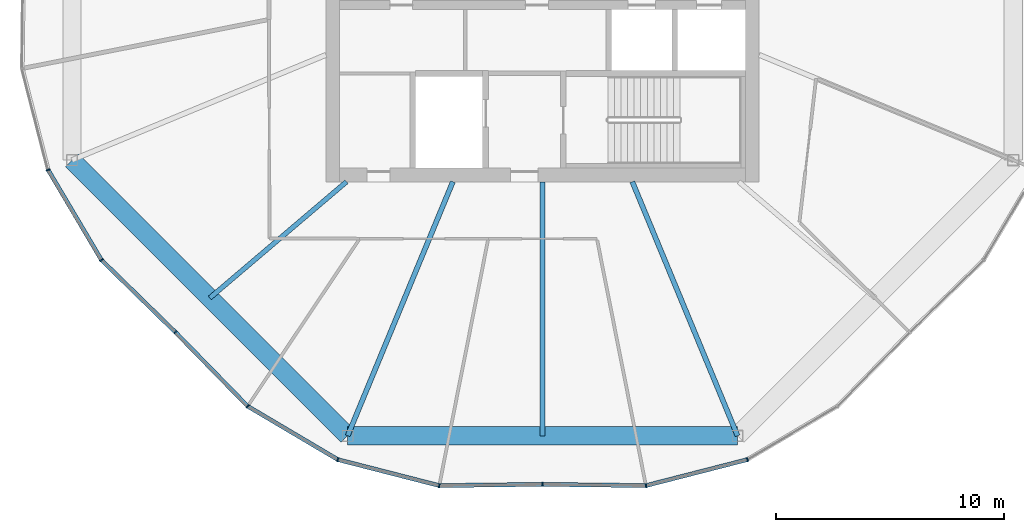
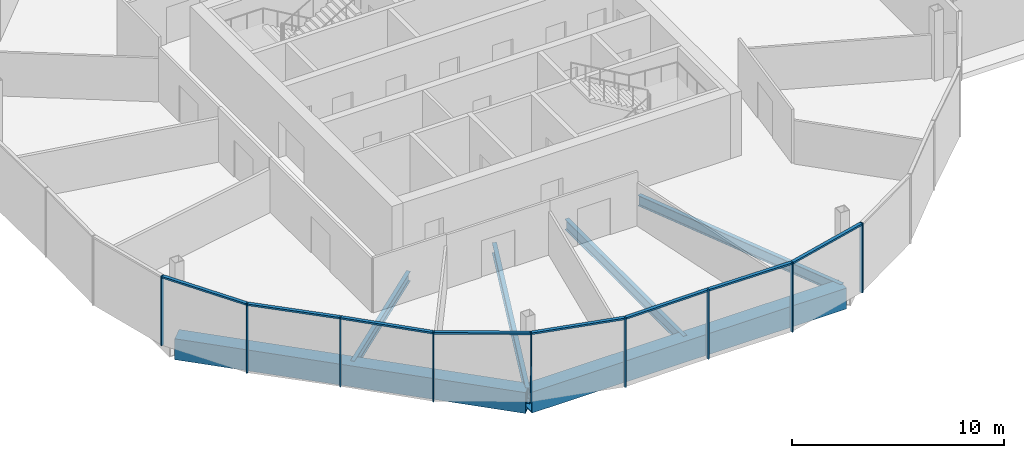
# One storey, part 3 of 25: 17 members, 6 beams, 3 elements without a shape of their own.
"""IFC4 building model written with IfcOpenShell, lengths in metres."""

import ifcopenshell
import ifcopenshell.guid

model = None  # the IFC model being written
_history = None  # IfcOwnerHistory: only IFC2X3 demands one
_inside = {}  # id of a spatial element -> (the spatial element, [elements in it])
_under = {}  # id of a project, library or spatial element -> (it, [spatial elements below it])
_declared = {}  # id of a project -> (the project, [libraries it declares])
_typed = {}  # id of a type object -> (the type object, [elements of that type])
_made_of = {}  # id of a material, layer set ... -> (it, [elements and type objects made of it])


def new_model(schema):
    """Start an empty IFC model of exactly this schema.

    Asked for "IFC4X3", IfcOpenShell would pick the latest addendum, in which some entities
    have other attributes; the version numbers below select the first issue.
    IFC2X3 requires an IfcOwnerHistory on every rooted entity: one is made here for all.
    """
    global model, _history
    if schema == "IFC4X3":
        model = ifcopenshell.file(schema_version=(4, 3, 0, 0))
    else:
        model = ifcopenshell.file(schema=schema)
    _inside.clear()
    _under.clear()
    _declared.clear()
    _typed.clear()
    _made_of.clear()
    _history = None
    if model.schema == "IFC2X3":
        org = make("IfcOrganization", Name="unknown")
        user = make(
            "IfcPersonAndOrganization",
            ThePerson=make("IfcPerson", FamilyName="unknown"),
            TheOrganization=org,
        )
        app = make(
            "IfcApplication",
            ApplicationDeveloper=org,
            Version="unknown",
            ApplicationFullName="unknown",
            ApplicationIdentifier="unknown",
        )
        _history = make(
            "IfcOwnerHistory",
            OwningUser=user,
            OwningApplication=app,
            ChangeAction="ADDED",
            CreationDate=0,
        )
    return model


def make(cls, **values):
    """One entity of the class cls with the attributes given. An attribute that is None is left unset."""
    return model.create_entity(
        cls, **{name: value for name, value in values.items() if value is not None}
    )


def rooted(cls, **values):
    """An entity with a GlobalId (a new one), such as an element, a storey or a relation."""
    return make(cls, GlobalId=ifcopenshell.guid.new(), OwnerHistory=_history, **values)


def si_unit(unit_type, name, prefix=None):
    """IfcSIUnit, for example si_unit("LENGTHUNIT", "METRE", prefix="MILLI")."""
    return make("IfcSIUnit", UnitType=unit_type, Prefix=prefix, Name=name)


def assignment(units):
    """IfcUnitAssignment: the units of a project."""
    return None if units is None else make("IfcUnitAssignment", Units=units)


def point(xyz):
    """IfcCartesianPoint."""
    return None if xyz is None else make("IfcCartesianPoint", Coordinates=xyz)


def direction(xyz):
    """IfcDirection."""
    return None if xyz is None else make("IfcDirection", DirectionRatios=xyz)


def frame(location, z_axis=None, x_axis=None):
    """IfcAxis2Placement3D, a coordinate frame: its origin and axes. An axis left out is left unset."""
    return make(
        "IfcAxis2Placement3D",
        Location=point(location),
        Axis=direction(z_axis),
        RefDirection=direction(x_axis),
    )


def frame_2d(location, x_axis=None):
    """IfcAxis2Placement2D, a coordinate frame in the plane: its origin and x axis."""
    return make(
        "IfcAxis2Placement2D", Location=point(location), RefDirection=direction(x_axis)
    )


def origin():
    """The frame at (0, 0, 0) with its axes left unset."""
    return frame((0.0, 0.0, 0.0))


def origin_2d():
    """The frame at (0, 0) in the plane with its x axis left unset."""
    return frame_2d((0.0, 0.0))


def place(relative_to, where):
    """IfcLocalPlacement: puts the frame where relative to a parent placement (None: the world)."""
    return make(
        "IfcLocalPlacement", PlacementRelTo=relative_to, RelativePlacement=where
    )


def context(
    kind, dimensions, precision=None, world=None, true_north=None, identifier=None
):
    """IfcGeometricRepresentationContext, for example the 3D "Model" context."""
    return make(
        "IfcGeometricRepresentationContext",
        ContextIdentifier=identifier,
        ContextType=kind,
        CoordinateSpaceDimension=dimensions,
        Precision=precision,
        WorldCoordinateSystem=world,
        TrueNorth=true_north,
    )


def subcontext(parent, identifier, kind, view, scale=None):
    """IfcGeometricRepresentationSubContext, for example "Body" below "Model"."""
    return make(
        "IfcGeometricRepresentationSubContext",
        ContextIdentifier=identifier,
        ContextType=kind,
        ParentContext=parent,
        TargetScale=scale,
        TargetView=view,
    )


def project(units=None, contexts=None):
    """IfcProject with its units and contexts."""
    return rooted(
        "IfcProject",
        Name="project",
        RepresentationContexts=contexts,
        UnitsInContext=assignment(units),
    )


def spatial(cls, under=None, at=None, **own):
    """A site, building, storey or space (cls), placed at a placement, below another one or the project."""
    s = rooted(cls, ObjectPlacement=at, **own)
    if under is not None:
        _under.setdefault(under.id(), (under, []))[1].append(s)
    return s


def profile(cls, at=None, kind="AREA", **sizes):
    """A parametric profile (cls). Its sizes go by their IFC names, for example OverallWidth=200.0."""
    return make(cls, ProfileType=kind, Position=at, **sizes)


def rectangle(**sizes):
    """IfcRectangleProfileDef."""
    return profile("IfcRectangleProfileDef", **sizes)


def hollow_rectangle(**sizes):
    """IfcRectangleHollowProfileDef."""
    return profile("IfcRectangleHollowProfileDef", **sizes)


def i_section(**sizes):
    """IfcIShapeProfileDef."""
    return profile("IfcIShapeProfileDef", **sizes)


def extrude(swept, where, along, depth):
    """IfcExtrudedAreaSolid: the profile swept, set in the frame where, extruded along a direction by depth."""
    return make(
        "IfcExtrudedAreaSolid",
        SweptArea=swept,
        Position=where,
        ExtrudedDirection=direction(along),
        Depth=depth,
    )


def shape(context_of_items, identifier, shape_type, items):
    """IfcShapeRepresentation: the items that make up one representation, for example the "Body"."""
    return make(
        "IfcShapeRepresentation",
        ContextOfItems=context_of_items,
        RepresentationIdentifier=identifier,
        RepresentationType=shape_type,
        Items=items,
    )


def material(Name=None, Category=None):
    """IfcMaterial."""
    return make("IfcMaterial", Name=Name, Category=Category)


def material_profile(
    of_material, cross_section, Name=None, Category=None, Priority=None
):
    """IfcMaterialProfile: a cross section and its material."""
    return make(
        "IfcMaterialProfile",
        Name=Name,
        Material=of_material,
        Profile=cross_section,
        Priority=Priority,
        Category=Category,
    )


def profile_set(profiles, Name=None, composite=None):
    """IfcMaterialProfileSet."""
    return make(
        "IfcMaterialProfileSet",
        Name=Name,
        MaterialProfiles=profiles,
        CompositeProfile=composite,
    )


def made_of(thing, what):
    """Note that an element or type object is made of a material, layer set ...; save() writes the relation."""
    if what is not None:
        _made_of.setdefault(what.id(), (what, []))[1].append(thing)
    return thing


def type_object(cls, material=None, **own):
    """A type object (cls), such as IfcWallType, which elements share."""
    return made_of(rooted(cls, **own), material)


def element(
    cls,
    number,
    at=None,
    inside=None,
    cuts=None,
    type_object=None,
    material=None,
    context=None,
    identifier="Body",
    shape_type=None,
    held_by="IfcProductDefinitionShape",
    body=None,
    shapes=None,
    **own,
):
    """One element of the class cls, such as IfcWall. Its Tag is "e" and its number.

    at: its placement. inside: the storey or other place that contains it. cuts: it is an
    opening in that element (IfcRelVoidsElement). A single representation is given by context,
    identifier, shape_type and body (its items); several are given by shapes. held_by: the class
    of the entity that holds the representations. save() writes the other relations.
    """
    e = rooted(cls, Tag="e%d" % number, ObjectPlacement=at, **own)
    if body is not None:
        shapes = [shape(context, identifier, shape_type, body)]
    if shapes is not None:
        e.Representation = make(held_by, Representations=shapes)
    if inside is not None:
        _inside.setdefault(inside.id(), (inside, []))[1].append(e)
    if cuts is not None:
        rooted(
            "IfcRelVoidsElement", RelatingBuildingElement=cuts, RelatedOpeningElement=e
        )
    if type_object is not None:
        _typed.setdefault(type_object.id(), (type_object, []))[1].append(e)
    return made_of(e, material)


def aggregate(whole, parts):
    """IfcRelAggregates: a whole, such as a stair, and the parts it consists of."""
    return rooted("IfcRelAggregates", RelatingObject=whole, RelatedObjects=parts)


def save(model, path):
    """Write the relations noted so far, then the file.

    IfcRelAggregates (storeys below a building ...), IfcRelContainedInSpatialStructure (elements
    in a storey), IfcRelDefinesByType, IfcRelAssociatesMaterial and IfcRelDeclares: one each for
    every whole, place, type object, material and project.
    """
    for whole, parts in _under.values():
        aggregate(whole, parts)
    for where, things in _inside.values():
        rooted(
            "IfcRelContainedInSpatialStructure",
            RelatedElements=things,
            RelatingStructure=where,
        )
    for kind, things in _typed.values():
        rooted("IfcRelDefinesByType", RelatedObjects=things, RelatingType=kind)
    for what, things in _made_of.values():
        rooted("IfcRelAssociatesMaterial", RelatedObjects=things, RelatingMaterial=what)
    for by, libraries in _declared.values():
        rooted("IfcRelDeclares", RelatingContext=by, RelatedDefinitions=libraries)
    model.write(path)


model = new_model("IFC4")

# Units and contexts
model_context = context("Model", 3, precision=1e-05, world=origin(), true_north=direction((0.0, 1.0)))
body_context = subcontext(model_context, "Body", "Model", "MODEL_VIEW")
ifc_project = project(units=[si_unit("LENGTHUNIT", "METRE"), si_unit("AREAUNIT", "SQUARE_METRE"), si_unit("VOLUMEUNIT", "CUBIC_METRE"), si_unit("PLANEANGLEUNIT", "RADIAN"), si_unit("MASSUNIT", "GRAM", prefix="KILO")], contexts=[model_context])

# Site, building, storey
site_placement = place(None, origin())
site = spatial("IfcSite", under=ifc_project, at=site_placement, CompositionType="ELEMENT")
building_placement = place(site_placement, origin())
building = spatial("IfcBuilding", under=site, at=building_placement, Name="Ogive Gate Towers", CompositionType="ELEMENT")
storey_placement = place(building_placement, frame((0.0, 0.0, 140.800048828125)))
storey = spatial("IfcBuildingStorey", under=building, at=storey_placement, Name="L33", CompositionType="ELEMENT", Elevation=140.800048828125)

# Beams
ifc_material_1 = material(Name="Steel SM460", Category="steel")
ifc_material_profile_1 = material_profile(ifc_material_1, hollow_rectangle(XDim=0.800048828125, YDim=1.199951171875, WallThickness=0.050048828125, at=origin_2d()), Name="BX 1200x800x50")
ifc_profile_set_1 = profile_set([ifc_material_profile_1], Name="Steel SM460")
beam_type_1 = type_object("IfcBeamType", Name="Edge girder BX 1200x800x50", PredefinedType="BEAM", material=ifc_profile_set_1)
beam_1_placement = place(storey_placement, frame((-56.639404296875, -8.549072265625, -0.900146484375), z_axis=(0.707106781187, -0.707106781187, 0.0), x_axis=(0.707106781187, 0.707106781187, 0.0)))
element("IfcBeam", 1, at=beam_1_placement, inside=storey, type_object=beam_type_1, Name="T1/L33/SBM017", PredefinedType="BEAM", context=body_context, shape_type="SweptSolid", body=[
    extrude(hollow_rectangle(XDim=0.800048828125, YDim=1.199951171875, WallThickness=0.050048828125, at=origin_2d()), origin(), (0.0, 0.0, 1.0), 17.098388671875),
])
beam_2_placement = place(storey_placement, frame((-44.549072265625, -20.639404296875, -0.900146484375), z_axis=(1.0, 0.0, 0.0), x_axis=(0.0, 1.0, 0.0)))
element("IfcBeam", 2, at=beam_2_placement, inside=storey, type_object=beam_type_1, Name="T1/L33/SBM018", PredefinedType="BEAM", context=body_context, shape_type="SweptSolid", body=[
    extrude(hollow_rectangle(XDim=0.800048828125, YDim=1.199951171875, WallThickness=0.050048828125, at=origin_2d()), origin(), (0.0, 0.0, 1.0), 17.09814453125),
])
ifc_material_2 = material(Name="Steel SM355", Category="steel")
ifc_material_profile_2 = material_profile(ifc_material_2, i_section(OverallWidth=0.2099609375, OverallDepth=0.550048828125, WebThickness=0.010986328125, FlangeThickness=0.01708984375, FilletRadius=0.02392578125, at=origin_2d()), Name="IPE 550")
ifc_profile_set_2 = profile_set([ifc_material_profile_2], Name="Steel SM355")
beam_type_2 = type_object("IfcBeamType", Name="Radial floor beam IPE 550", PredefinedType="BEAM", material=ifc_profile_set_2)
beam_3_placement = place(storey_placement, frame((-44.60009765625, -9.5, -0.574951171875), z_axis=(-0.761988324045, -0.647590761222, 0.0), x_axis=(0.647590761222, -0.761988324045, 0.0)))
element("IfcBeam", 3, at=beam_3_placement, inside=storey, type_object=beam_type_2, Name="T1/L33/SBM002", PredefinedType="BEAM", context=body_context, shape_type="SweptSolid", body=[
    extrude(i_section(OverallWidth=0.2099609375, OverallDepth=0.550048828125, WebThickness=0.010986328125, FlangeThickness=0.01708984375, FilletRadius=0.02392578125, at=origin_2d()), origin(), (0.0, 0.0, 1.0), 7.866455078125),
])
ifc_material_profile_3 = material_profile(ifc_material_2, i_section(OverallWidth=0.219970703125, OverallDepth=0.60009765625, WebThickness=0.011962890625, FlangeThickness=0.01904296875, FilletRadius=0.02392578125, at=origin_2d()), Name="IPE 600")
ifc_profile_set_3 = profile_set([ifc_material_profile_3], Name="Steel SM355")
beam_type_3 = type_object("IfcBeamType", Name="Radial floor beam IPE 600", PredefinedType="BEAM", material=ifc_profile_set_3)
beam_4_placement = place(storey_placement, frame((-39.93505859375, -9.5, -0.60009765625), z_axis=(-0.382677863518, -0.923881839184, 0.0), x_axis=(0.923881839184, -0.382677863518, 0.0)))
element("IfcBeam", 4, at=beam_4_placement, inside=storey, type_object=beam_type_3, Name="T1/L33/SBM003", PredefinedType="BEAM", context=body_context, shape_type="SweptSolid", body=[
    extrude(i_section(OverallWidth=0.219970703125, OverallDepth=0.60009765625, WebThickness=0.011962890625, FlangeThickness=0.01904296875, FilletRadius=0.02392578125, at=origin_2d()), origin(), (0.0, 0.0, 1.0), 12.05712890625),
])
beam_5_placement = place(storey_placement, frame((-36.0, -9.5, -0.60009765625), z_axis=(0.0, -1.0, 0.0), x_axis=(1.0, 0.0, 0.0)))
element("IfcBeam", 5, at=beam_5_placement, inside=storey, type_object=beam_type_3, Name="T1/L33/SBM004", PredefinedType="BEAM", context=body_context, shape_type="SweptSolid", body=[
    extrude(i_section(OverallWidth=0.219970703125, OverallDepth=0.60009765625, WebThickness=0.011962890625, FlangeThickness=0.01904296875, FilletRadius=0.02392578125, at=origin_2d()), origin(), (0.0, 0.0, 1.0), 11.139404296875),
])
beam_6_placement = place(storey_placement, frame((-32.06494140625, -9.5, -0.60009765625), z_axis=(0.382677863518, -0.923881839184, 0.0), x_axis=(0.923881839184, 0.382677863518, 0.0)))
element("IfcBeam", 6, at=beam_6_placement, inside=storey, type_object=beam_type_3, Name="T1/L33/SBM005", PredefinedType="BEAM", context=body_context, shape_type="SweptSolid", body=[
    extrude(i_section(OverallWidth=0.219970703125, OverallDepth=0.60009765625, WebThickness=0.011962890625, FlangeThickness=0.01904296875, FilletRadius=0.02392578125, at=origin_2d()), origin(), (0.0, 0.0, 1.0), 12.05712890625),
])

# Curtain wall, members
ifc_material_3 = material(Name="Pale metal aluminium", Category="aluminium")
curtain_wall_type = type_object("IfcCurtainWallType", Name="Tower unitised wall, high zone", PredefinedType="NOTDEFINED", material=ifc_material_3)
curtain_wall_1_placement = place(storey_placement, origin())
curtain_wall_1 = element("IfcCurtainWall", 7, at=curtain_wall_1_placement, inside=storey, type_object=curtain_wall_type, Name="CW2 T1 ECW05", PredefinedType="NOTDEFINED")
ifc_material_profile_4 = material_profile(ifc_material_3, rectangle(XDim=0.179931640625, YDim=0.06005859375, at=origin_2d()), Name="60 x 180 aluminium box")
ifc_profile_set_4 = profile_set([ifc_material_profile_4], Name="Pale metal aluminium")
member_type_1 = type_object("IfcMemberType", Name="Tower unitised wall, high zone mullion 60 x 180", PredefinedType="MULLION", material=ifc_profile_set_4)
member_1_placement = place(storey_placement, frame((-57.684326171875, -8.98193359375, -0.300048828125), z_axis=(0.0, 0.0, 1.0), x_axis=(-0.923879532511, -0.382683432365, 0.0)))
member_1 = element("IfcMember", 8, at=member_1_placement, type_object=member_type_1, Name="CW2 mullion", PredefinedType="MULLION", context=body_context, shape_type="SweptSolid", body=[
    extrude(rectangle(XDim=0.179931640625, YDim=0.06005859375, at=origin_2d()), origin(), (0.0, 0.0, 1.0), 4.0),
])
member_2_placement = place(storey_placement, frame((-55.344970703125, -12.93408203125, -0.300048828125), z_axis=(0.0, 0.0, 1.0), x_axis=(-0.786320782112, -0.617818442277, 0.0)))
member_2 = element("IfcMember", 9, at=member_2_placement, type_object=member_type_1, Name="CW2 mullion", PredefinedType="MULLION", context=body_context, shape_type="SweptSolid", body=[
    extrude(rectangle(XDim=0.179931640625, YDim=0.06005859375, at=origin_2d()), origin(), (0.0, 0.0, 1.0), 4.0),
])
member_3_placement = place(storey_placement, frame((-52.100830078125, -16.1005859375, -0.300048828125), z_axis=(0.0, 0.0, 1.0), x_axis=(-0.69851520818, -0.715595209557, 0.0)))
member_3 = element("IfcMember", 10, at=member_3_placement, type_object=member_type_1, Name="CW2 mullion", PredefinedType="MULLION", context=body_context, shape_type="SweptSolid", body=[
    extrude(rectangle(XDim=0.179931640625, YDim=0.06005859375, at=origin_2d()), origin(), (0.0, 0.0, 1.0), 4.0),
])

curtain_wall_2_placement = place(storey_placement, origin())
curtain_wall_2 = element("IfcCurtainWall", 11, at=curtain_wall_2_placement, inside=storey, type_object=curtain_wall_type, Name="CW2 T1 ECW06", PredefinedType="NOTDEFINED")
member_4_placement = place(storey_placement, frame((-48.93408203125, -19.344970703125, -0.300048828125), z_axis=(0.0, 0.0, 1.0), x_axis=(-0.617818442277, -0.786320782112, 0.0)))
member_4 = element("IfcMember", 12, at=member_4_placement, type_object=member_type_1, Name="CW2 mullion", PredefinedType="MULLION", context=body_context, shape_type="SweptSolid", body=[
    extrude(rectangle(XDim=0.179931640625, YDim=0.06005859375, at=origin_2d()), origin(), (0.0, 0.0, 1.0), 4.0),
])
member_5_placement = place(storey_placement, frame((-44.98193359375, -21.684326171875, -0.300048828125), z_axis=(0.0, 0.0, 1.0), x_axis=(-0.382683432365, -0.923879532511, 0.0)))
member_5 = element("IfcMember", 13, at=member_5_placement, type_object=member_type_1, Name="CW2 mullion", PredefinedType="MULLION", context=body_context, shape_type="SweptSolid", body=[
    extrude(rectangle(XDim=0.179931640625, YDim=0.06005859375, at=origin_2d()), origin(), (0.0, 0.0, 1.0), 4.0),
])
member_6_placement = place(storey_placement, frame((-40.532958984375, -22.824951171875, -0.300048828125), z_axis=(0.0, 0.0, 1.0), x_axis=(-0.119149147143, -0.992876367296, 0.0)))
member_6 = element("IfcMember", 14, at=member_6_placement, type_object=member_type_1, Name="CW2 mullion", PredefinedType="MULLION", context=body_context, shape_type="SweptSolid", body=[
    extrude(rectangle(XDim=0.179931640625, YDim=0.06005859375, at=origin_2d()), origin(), (0.0, 0.0, 1.0), 4.0),
])
member_7_placement = place(storey_placement, frame((-36.0, -22.77001953125, -0.300048828125), z_axis=(0.0, 0.0, 1.0), x_axis=(0.012077384797, -0.999927065729, 0.0)))
member_7 = element("IfcMember", 15, at=member_7_placement, type_object=member_type_1, Name="CW2 mullion", PredefinedType="MULLION", context=body_context, shape_type="SweptSolid", body=[
    extrude(rectangle(XDim=0.179931640625, YDim=0.06005859375, at=origin_2d()), origin(), (0.0, 0.0, 1.0), 4.0),
])

curtain_wall_3_placement = place(storey_placement, origin())
curtain_wall_3 = element("IfcCurtainWall", 16, at=curtain_wall_3_placement, inside=storey, type_object=curtain_wall_type, Name="CW2 T1 ECW07", PredefinedType="NOTDEFINED")
member_8_placement = place(storey_placement, frame((-31.467041015625, -22.824951171875, -0.300048828125), z_axis=(0.0, 0.0, 1.0), x_axis=(0.119149147143, -0.992876367296, 0.0)))
member_8 = element("IfcMember", 17, at=member_8_placement, type_object=member_type_1, Name="CW2 mullion", PredefinedType="MULLION", context=body_context, shape_type="SweptSolid", body=[
    extrude(rectangle(XDim=0.179931640625, YDim=0.06005859375, at=origin_2d()), origin(), (0.0, 0.0, 1.0), 4.0),
])
member_9_placement = place(storey_placement, frame((-27.01806640625, -21.684326171875, -0.300048828125), z_axis=(0.0, 0.0, 1.0), x_axis=(0.382683432365, -0.923879532511, 0.0)))
member_9 = element("IfcMember", 18, at=member_9_placement, type_object=member_type_1, Name="CW2 mullion", PredefinedType="MULLION", context=body_context, shape_type="SweptSolid", body=[
    extrude(rectangle(XDim=0.179931640625, YDim=0.06005859375, at=origin_2d()), origin(), (0.0, 0.0, 1.0), 4.0),
])

# Member
ifc_material_profile_5 = material_profile(ifc_material_3, rectangle(XDim=0.179931640625, YDim=0.10009765625, at=origin_2d()), Name="100 x 180 aluminium box")
ifc_profile_set_5 = profile_set([ifc_material_profile_5], Name="Pale metal aluminium")
member_type_2 = type_object("IfcMemberType", Name="Tower unitised wall, high zone transom 100 x 180", PredefinedType="USERDEFINED", material=ifc_profile_set_5)
member_10_placement = place(storey_placement, frame((-57.669677734375, -9.006591796875, 3.64990234375), z_axis=(0.509356692799, -0.860555494725, 0.0), x_axis=(0.860555494725, 0.509356692799, 0.0)))
member_10 = element("IfcMember", 19, at=member_10_placement, type_object=member_type_2, Name="CW2 transom", ObjectType="TRANSOM", PredefinedType="USERDEFINED", context=body_context, shape_type="SweptSolid", body=[
    extrude(rectangle(XDim=0.179931640625, YDim=0.10009765625, at=origin_2d()), origin(), (0.0, 0.0, 1.0), 4.53515625),
])

member_11_placement = place(storey_placement, frame((-55.32421875, -12.9541015625, 3.64990234375), z_axis=(0.715567063029, -0.698544041781, 0.0), x_axis=(0.698544041781, 0.715567063029, 0.0)))
member_11 = element("IfcMember", 20, at=member_11_placement, type_object=member_type_2, Name="CW2 transom", ObjectType="TRANSOM", PredefinedType="USERDEFINED", context=body_context, shape_type="SweptSolid", body=[
    extrude(rectangle(XDim=0.179931640625, YDim=0.10009765625, at=origin_2d()), origin(), (0.0, 0.0, 1.0), 4.474609375),
])

aggregate(curtain_wall_1, [member_1, member_2, member_10, member_3, member_11])

member_12_placement = place(storey_placement, frame((-52.079833984375, -16.122314453125, 3.64990234375), z_axis=(0.698544041781, -0.715567063029, 0.0), x_axis=(0.715567063029, 0.698544041781, 0.0)))
member_12 = element("IfcMember", 21, at=member_12_placement, type_object=member_type_2, Name="CW2 transom", ObjectType="TRANSOM", PredefinedType="USERDEFINED", context=body_context, shape_type="SweptSolid", body=[
    extrude(rectangle(XDim=0.179931640625, YDim=0.10009765625, at=origin_2d()), origin(), (0.0, 0.0, 1.0), 4.474609375),
])

member_13_placement = place(storey_placement, frame((-48.909423828125, -19.359619140625, 3.64990234375), z_axis=(0.860555494725, -0.509356692799, 0.0), x_axis=(0.509356692799, 0.860555494725, 0.0)))
member_13 = element("IfcMember", 22, at=member_13_placement, type_object=member_type_2, Name="CW2 transom", ObjectType="TRANSOM", PredefinedType="USERDEFINED", context=body_context, shape_type="SweptSolid", body=[
    extrude(rectangle(XDim=0.179931640625, YDim=0.10009765625, at=origin_2d()), origin(), (0.0, 0.0, 1.0), 4.53515625),
])

member_14_placement = place(storey_placement, frame((-44.954345703125, -21.69140625, 3.64990234375), z_axis=(0.968681463012, -0.248306711985, 0.0), x_axis=(0.248306711985, 0.968681463012, 0.0)))
member_14 = element("IfcMember", 23, at=member_14_placement, type_object=member_type_2, Name="CW2 transom", ObjectType="TRANSOM", PredefinedType="USERDEFINED", context=body_context, shape_type="SweptSolid", body=[
    extrude(rectangle(XDim=0.179931640625, YDim=0.10009765625, at=origin_2d()), origin(), (0.0, 0.0, 1.0), 4.53564453125),
])

member_15_placement = place(storey_placement, frame((-40.50439453125, -22.824462890625, 3.64990234375), z_axis=(0.999927301671, 0.012057834543, 0.0), x_axis=(-0.012057834543, 0.999927301671, 0.0)))
member_15 = element("IfcMember", 24, at=member_15_placement, type_object=member_type_2, Name="CW2 transom", ObjectType="TRANSOM", PredefinedType="USERDEFINED", context=body_context, shape_type="SweptSolid", body=[
    extrude(rectangle(XDim=0.179931640625, YDim=0.10009765625, at=origin_2d()), origin(), (0.0, 0.0, 1.0), 4.474609375),
])

aggregate(curtain_wall_2, [member_4, member_12, member_5, member_13, member_6, member_14, member_7, member_15])

member_16_placement = place(storey_placement, frame((-35.969970703125, -22.7705078125, 3.64990234375), z_axis=(0.999927301671, -0.012057834543, 0.0), x_axis=(0.012057834543, 0.999927301671, 0.0)))
member_16 = element("IfcMember", 25, at=member_16_placement, type_object=member_type_2, Name="CW2 transom", ObjectType="TRANSOM", PredefinedType="USERDEFINED", context=body_context, shape_type="SweptSolid", body=[
    extrude(rectangle(XDim=0.179931640625, YDim=0.10009765625, at=origin_2d()), origin(), (0.0, 0.0, 1.0), 4.474609375),
])

member_17_placement = place(storey_placement, frame((-31.439208984375, -22.817626953125, 3.64990234375), z_axis=(0.968681463012, 0.248306711985, 0.0), x_axis=(-0.248306711985, 0.968681463012, 0.0)))
member_17 = element("IfcMember", 26, at=member_17_placement, type_object=member_type_2, Name="CW2 transom", ObjectType="TRANSOM", PredefinedType="USERDEFINED", context=body_context, shape_type="SweptSolid", body=[
    extrude(rectangle(XDim=0.179931640625, YDim=0.10009765625, at=origin_2d()), origin(), (0.0, 0.0, 1.0), 4.53564453125),
])

aggregate(curtain_wall_3, [member_8, member_16, member_9, member_17])

save(model, "model.ifc")
